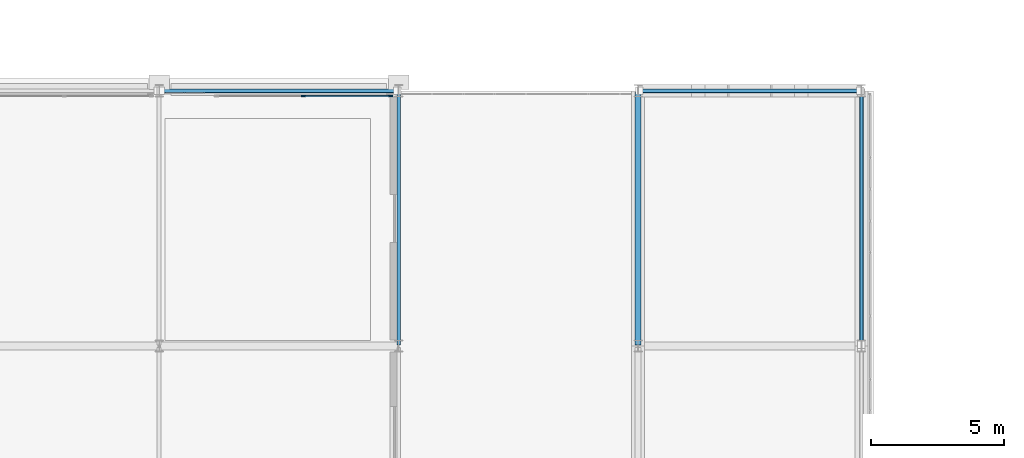
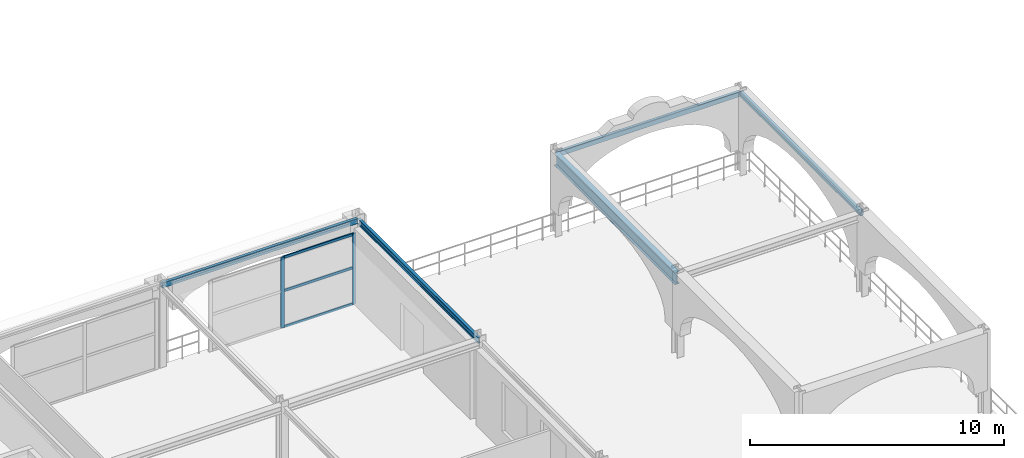
# One storey, part 29 of 81: 5 beams, 5 members, 1 element without a shape of its own.
"""IFC4 building model written with IfcOpenShell, lengths in metres."""

from ifc_helpers import new_model, si_unit, direction, frame, origin, origin_2d, place, context, subcontext, project, spatial, rectangle, hollow_rectangle, i_section, extrude, material, layer, layer_set, material_profile, profile_set, type_object, element, aggregate, save


model = new_model("IFC4")

# Units and contexts
model_context = context("Model", 3, precision=1e-05, world=origin(), true_north=direction((0.0, 1.0)))
body_context = subcontext(model_context, "Body", "Model", "MODEL_VIEW")
ifc_project = project(units=[si_unit("LENGTHUNIT", "METRE"), si_unit("AREAUNIT", "SQUARE_METRE"), si_unit("VOLUMEUNIT", "CUBIC_METRE"), si_unit("PLANEANGLEUNIT", "RADIAN"), si_unit("MASSUNIT", "GRAM", prefix="KILO")], contexts=[model_context])

# Site, building, storey
site_placement = place(None, origin())
site = spatial("IfcSite", under=ifc_project, at=site_placement, CompositionType="ELEMENT")
building_placement = place(site_placement, origin())
building = spatial("IfcBuilding", under=site, at=building_placement, Name="Myrtia Square Station", CompositionType="ELEMENT")
storey_placement = place(building_placement, frame((0.0, 0.0, 10.800048828125)))
storey = spatial("IfcBuildingStorey", under=building, at=storey_placement, Name="L02", CompositionType="ELEMENT", Elevation=10.800048828125)

# Beams
ifc_material_1 = material(Name="Steel S355", Category="steel")
ifc_material_profile_1 = material_profile(ifc_material_1, i_section(OverallWidth=0.135009765625, OverallDepth=0.27001953125, WebThickness=0.006591796875, FlangeThickness=0.01025390625, FilletRadius=0.014892578125, at=origin_2d()), Name="IPE 270")
ifc_profile_set_1 = profile_set([ifc_material_profile_1], Name="Steel S355")
beam_type_1 = type_object("IfcBeamType", Name="BM-IPE270", PredefinedType="BEAM", material=ifc_profile_set_1)
beam_1_placement = place(storey_placement, frame((162.0, 28.85009765625, 3.800048828125), z_axis=(0.0, 1.0, 0.0), x_axis=(-1.0, 0.0, 0.0)))
element("IfcBeam", 1, at=beam_1_placement, inside=storey, type_object=beam_type_1, Name="Structural girder BMY-L02-0749", PredefinedType="BEAM", context=body_context, shape_type="SweptSolid", body=[
    extrude(i_section(OverallWidth=0.135009765625, OverallDepth=0.27001953125, WebThickness=0.006591796875, FlangeThickness=0.01025390625, FilletRadius=0.014892578125, at=origin_2d()), origin(), (0.0, 0.0, 1.0), 9.5),
])
ifc_material_profile_2 = material_profile(ifc_material_1, i_section(OverallWidth=0.219970703125, OverallDepth=0.60009765625, WebThickness=0.011962890625, FlangeThickness=0.01904296875, FilletRadius=0.02392578125, at=origin_2d()), Name="IPE 600")
ifc_profile_set_2 = profile_set([ifc_material_profile_2], Name="Steel S355")
beam_type_2 = type_object("IfcBeamType", Name="BM-IPE600", PredefinedType="BEAM", material=ifc_profile_set_2)
beam_2_placement = place(storey_placement, frame((171.0, 28.85009765625, 3.655029296875), z_axis=(0.0, 1.0, 0.0), x_axis=(-1.0, 0.0, 0.0)))
element("IfcBeam", 2, at=beam_2_placement, inside=storey, type_object=beam_type_2, Name="Structural girder BMY-L02-0751", PredefinedType="BEAM", context=body_context, shape_type="SweptSolid", body=[
    extrude(i_section(OverallWidth=0.219970703125, OverallDepth=0.60009765625, WebThickness=0.011962890625, FlangeThickness=0.01904296875, FilletRadius=0.02392578125, at=origin_2d()), origin(), (0.0, 0.0, 1.0), 9.5),
])

# Curtain wall, members
ifc_material_2 = material(Name="Dark bronze anodised aluminium", Category="aluminium")
ifc_layer = layer(ifc_material_2, 0.159912109375, Name="Dark bronze anodised aluminium")
ifc_layer_set = layer_set([ifc_layer], Name="Dark bronze anodised aluminium")
curtain_wall_type = type_object("IfcCurtainWallType", Name="CW-TYPE-28-660x340", PredefinedType="USERDEFINED", material=ifc_layer_set)
curtain_wall_placement = place(storey_placement, origin())
curtain_wall = element("IfcCurtainWall", 3, at=curtain_wall_placement, inside=storey, type_object=curtain_wall_type, Name="Concourse curtain wall CW-L02-101", ObjectType="CONCOURSE CURTAIN WALL", PredefinedType="USERDEFINED")
ifc_material_profile_3 = material_profile(ifc_material_2, rectangle(XDim=0.06005859375, YDim=0.159912109375, at=origin_2d()), Name="ALU-M 60x160")
ifc_profile_set_3 = profile_set([ifc_material_profile_3], Name="Dark bronze anodised aluminium")
member_type_1 = type_object("IfcMemberType", Name="CWM-60x160", PredefinedType="MULLION", material=ifc_profile_set_3)
member_1_placement = place(storey_placement, frame((158.425048828125, 38.199951171875, 0.0), z_axis=(0.0, 0.0, 1.0), x_axis=(0.0, 1.0, 0.0)))
member_1 = element("IfcMember", 4, at=member_1_placement, type_object=member_type_1, Name="CW-101 mullion 2", PredefinedType="MULLION", context=body_context, shape_type="SweptSolid", body=[
    extrude(rectangle(XDim=0.06005859375, YDim=0.159912109375, at=origin_2d()), origin(), (0.0, 0.0, 1.0), 3.39990234375),
])
member_2_placement = place(storey_placement, frame((161.695068359375, 38.199951171875, 0.0), z_axis=(0.0, 0.0, 1.0), x_axis=(0.0, 1.0, 0.0)))
member_2 = element("IfcMember", 5, at=member_2_placement, type_object=member_type_1, Name="CW-101 mullion 3", PredefinedType="MULLION", context=body_context, shape_type="SweptSolid", body=[
    extrude(rectangle(XDim=0.06005859375, YDim=0.159912109375, at=origin_2d()), origin(), (0.0, 0.0, 1.0), 3.39990234375),
])
ifc_material_profile_4 = material_profile(ifc_material_2, rectangle(XDim=0.06005859375, YDim=0.1201171875, at=origin_2d()), Name="ALU-T 60x120")
ifc_profile_set_4 = profile_set([ifc_material_profile_4], Name="Dark bronze anodised aluminium")
member_type_2 = type_object("IfcMemberType", Name="CWT-60x120", PredefinedType="USERDEFINED", material=ifc_profile_set_4)
member_3_placement = place(storey_placement, frame((158.455078125, 38.199951171875, 0.030029296875), z_axis=(1.0, 0.0, 0.0), x_axis=(0.0, 1.0, 0.0)))
member_3 = element("IfcMember", 6, at=member_3_placement, type_object=member_type_2, Name="CW-101 transom 2.1", ObjectType="TRANSOM", PredefinedType="USERDEFINED", context=body_context, shape_type="SweptSolid", body=[
    extrude(rectangle(XDim=0.06005859375, YDim=0.1201171875, at=origin_2d()), origin(), (0.0, 0.0, 1.0), 3.2099609375),
])
member_4_placement = place(storey_placement, frame((158.455078125, 38.199951171875, 1.76806640625), z_axis=(1.0, 0.0, 0.0), x_axis=(0.0, 1.0, 0.0)))
member_4 = element("IfcMember", 7, at=member_4_placement, type_object=member_type_2, Name="CW-101 transom 2.2", ObjectType="TRANSOM", PredefinedType="USERDEFINED", context=body_context, shape_type="SweptSolid", body=[
    extrude(rectangle(XDim=0.06005859375, YDim=0.1201171875, at=origin_2d()), origin(), (0.0, 0.0, 1.0), 3.2099609375),
])
member_5_placement = place(storey_placement, frame((158.455078125, 38.199951171875, 3.369873046875), z_axis=(1.0, 0.0, 0.0), x_axis=(0.0, 1.0, 0.0)))
member_5 = element("IfcMember", 8, at=member_5_placement, type_object=member_type_2, Name="CW-101 transom 2.3", ObjectType="TRANSOM", PredefinedType="USERDEFINED", context=body_context, shape_type="SweptSolid", body=[
    extrude(rectangle(XDim=0.06005859375, YDim=0.1201171875, at=origin_2d()), origin(), (0.0, 0.0, 1.0), 3.2099609375),
])
aggregate(curtain_wall, [member_1, member_2, member_3, member_4, member_5])

# Beams
ifc_material_profile_5 = material_profile(ifc_material_1, hollow_rectangle(XDim=0.14990234375, YDim=0.25, WallThickness=0.012451171875, InnerFilletRadius=0.012451171875, OuterFilletRadius=0.02490234375, at=origin_2d()), Name="RHS 250x150x12.5")
ifc_profile_set_5 = profile_set([ifc_material_profile_5], Name="Steel S355")
beam_type_3 = type_object("IfcBeamType", Name="SPN-RHS250", PredefinedType="SPANDREL", material=ifc_profile_set_5)
beam_3_placement = place(storey_placement, frame((153.050048828125, 38.39990234375, 3.81005859375), z_axis=(1.0, 0.0, 0.0), x_axis=(0.0, 1.0, 0.0)))
element("IfcBeam", 9, at=beam_3_placement, inside=storey, type_object=beam_type_3, Name="Structural girder SPN-L02-0205", PredefinedType="SPANDREL", context=body_context, shape_type="SweptSolid", body=[
    extrude(hollow_rectangle(XDim=0.14990234375, YDim=0.25, WallThickness=0.012451171875, InnerFilletRadius=0.012451171875, OuterFilletRadius=0.02490234375, at=origin_2d()), origin(), (0.0, 0.0, 1.0), 8.89990234375),
])
beam_4_placement = place(storey_placement, frame((171.050048828125, 38.39990234375, 3.829833984375), z_axis=(1.0, 0.0, 0.0), x_axis=(0.0, 1.0, 0.0)))
element("IfcBeam", 10, at=beam_4_placement, inside=storey, type_object=beam_type_3, Name="Structural girder SPN-L02-0206", PredefinedType="SPANDREL", context=body_context, shape_type="SweptSolid", body=[
    extrude(hollow_rectangle(XDim=0.14990234375, YDim=0.25, WallThickness=0.012451171875, InnerFilletRadius=0.012451171875, OuterFilletRadius=0.02490234375, at=origin_2d()), origin(), (0.0, 0.0, 1.0), 8.300048828125),
])
beam_5_placement = place(storey_placement, frame((179.39990234375, 28.85009765625, 3.829833984375), z_axis=(0.0, 1.0, 0.0), x_axis=(-1.0, 0.0, 0.0)))
element("IfcBeam", 11, at=beam_5_placement, inside=storey, type_object=beam_type_3, Name="Structural girder SPNY-L02-0208", PredefinedType="SPANDREL", context=body_context, shape_type="SweptSolid", body=[
    extrude(hollow_rectangle(XDim=0.14990234375, YDim=0.25, WallThickness=0.012451171875, InnerFilletRadius=0.012451171875, OuterFilletRadius=0.02490234375, at=origin_2d()), origin(), (0.0, 0.0, 1.0), 9.5),
])

save(model, "model.ifc")
